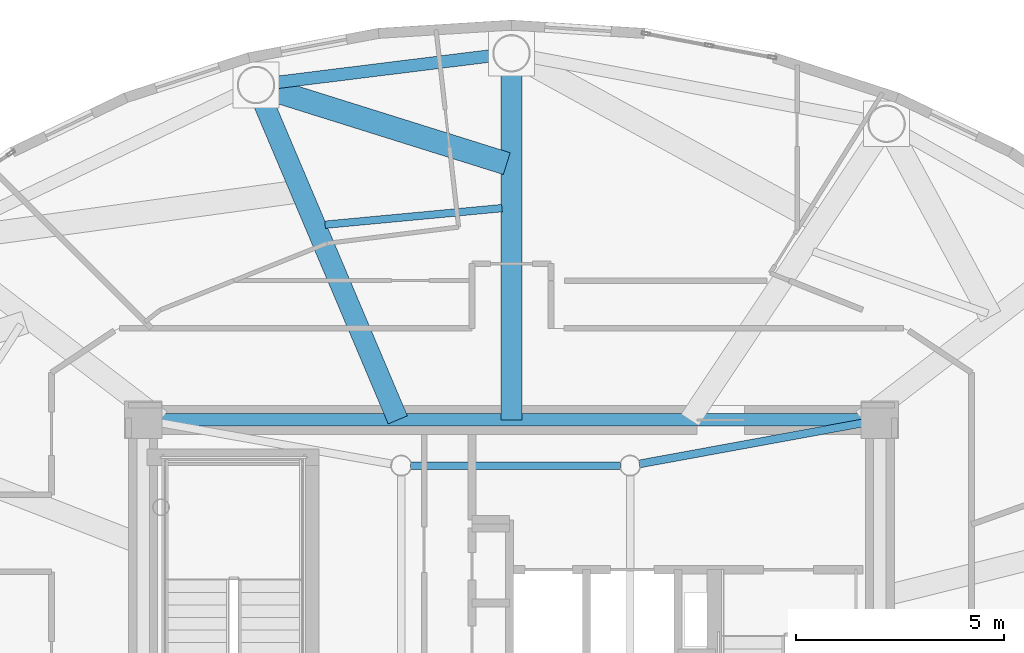
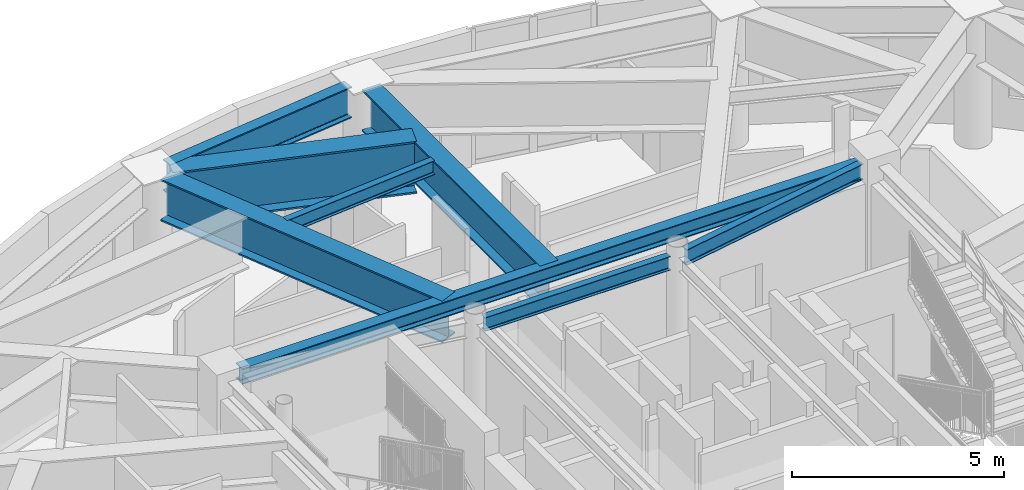
# One storey, part 9 of 23: 8 beams.
"""IFC4 building model written with IfcOpenShell, lengths in metres."""

from ifc_helpers import new_model, si_unit, direction, frame, origin, origin_2d, place, context, subcontext, project, spatial, i_section, extrude, material, material_profile, profile_set, type_object, element, save


model = new_model("IFC4")

# Units and contexts
model_context = context("Model", 3, precision=1e-05, world=origin(), true_north=direction((0.0, 1.0)))
body_context = subcontext(model_context, "Body", "Model", "MODEL_VIEW")
ifc_project = project(units=[si_unit("LENGTHUNIT", "METRE"), si_unit("AREAUNIT", "SQUARE_METRE"), si_unit("VOLUMEUNIT", "CUBIC_METRE"), si_unit("PLANEANGLEUNIT", "RADIAN"), si_unit("MASSUNIT", "GRAM", prefix="KILO")], contexts=[model_context])

# Site, building, storey
site_placement = place(None, origin())
site = spatial("IfcSite", under=ifc_project, at=site_placement, CompositionType="ELEMENT")
building_placement = place(site_placement, origin())
building = spatial("IfcBuilding", under=site, at=building_placement, Name="Linh Dai School and Residence Tower", CompositionType="ELEMENT")
storey_placement = place(building_placement, frame((0.0, 0.0, 359.39990234375)))
storey = spatial("IfcBuildingStorey", under=building, at=storey_placement, Name="L89", CompositionType="ELEMENT", Elevation=359.39990234375)

# Beams
ifc_material = material(Name="Structural Steel S355JR", Category="steel")
ifc_material_profile_1 = material_profile(ifc_material, i_section(OverallWidth=0.300048828125, OverallDepth=0.449951171875, WebThickness=0.013916015625, FlangeThickness=0.02587890625, FilletRadius=0.027099609375, at=origin_2d()), Name="HEB 450")
ifc_profile_set_1 = profile_set([ifc_material_profile_1], Name="Structural Steel S355JR")
beam_type_1 = type_object("IfcBeamType", Name="BM-RG45", PredefinedType="BEAM", material=ifc_profile_set_1)
beam_1_placement = place(storey_placement, frame((44.429931640625, 33.449951171875, 3.675048828125), z_axis=(-1.0, 0.0, 0.0), x_axis=(0.0, -1.0, 0.0)))
element("IfcBeam", 1, at=beam_1_placement, inside=storey, type_object=beam_type_1, Name="L89 Core Perimeter Coupling Girder 3", PredefinedType="BEAM", context=body_context, shape_type="SweptSolid", body=[
    extrude(i_section(OverallWidth=0.300048828125, OverallDepth=0.449951171875, WebThickness=0.013916015625, FlangeThickness=0.02587890625, FilletRadius=0.027099609375, at=origin_2d()), origin(), (0.0, 0.0, 1.0), 16.85986328125),
])
ifc_material_profile_2 = material_profile(ifc_material, i_section(OverallWidth=0.300048828125, OverallDepth=0.89990234375, WebThickness=0.0185546875, FlangeThickness=0.034912109375, FilletRadius=0.030029296875, at=origin_2d()), Name="HEB 900")
ifc_profile_set_2 = profile_set([ifc_material_profile_2], Name="Structural Steel S355JR")
beam_type_2 = type_object("IfcBeamType", Name="BM-RG9", PredefinedType="BEAM", material=ifc_profile_set_2)
beam_2_placement = place(storey_placement, frame((35.583251953125, 42.203369140625, 3.4501953125), z_axis=(-0.992398979221, -0.123062041428, 0.0), x_axis=(0.123062041428, -0.992398979221, 0.0)))
element("IfcBeam", 2, at=beam_2_placement, inside=storey, type_object=beam_type_2, Name="L89 Perimeter Elliptical Ring Beam 05", PredefinedType="BEAM", context=body_context, shape_type="SweptSolid", body=[
    extrude(i_section(OverallWidth=0.300048828125, OverallDepth=0.89990234375, WebThickness=0.0185546875, FlangeThickness=0.034912109375, FilletRadius=0.030029296875, at=origin_2d()), origin(), (0.0, 0.0, 1.0), 5.344482421875),
])
ifc_material_profile_3 = material_profile(ifc_material, i_section(OverallWidth=0.179931640625, OverallDepth=0.39990234375, WebThickness=0.008544921875, FlangeThickness=0.013427734375, FilletRadius=0.02099609375, at=origin_2d()), Name="IPE 400")
ifc_profile_set_3 = profile_set([ifc_material_profile_3], Name="Structural Steel S355JR")
beam_type_3 = type_object("IfcBeamType", Name="BM-SB40", PredefinedType="BEAM", material=ifc_profile_set_3)
beam_3_placement = place(storey_placement, frame((38.6259765625, 32.35009765625, 3.7001953125), z_axis=(-1.0, 0.0, 0.0), x_axis=(0.0, -1.0, 0.0)))
element("IfcBeam", 3, at=beam_3_placement, inside=storey, type_object=beam_type_3, Name="L89 Core Mast Pier Tie Beam 3", PredefinedType="BEAM", context=body_context, shape_type="SweptSolid", body=[
    extrude(i_section(OverallWidth=0.179931640625, OverallDepth=0.39990234375, WebThickness=0.008544921875, FlangeThickness=0.013427734375, FilletRadius=0.02099609375, at=origin_2d()), origin(), (0.0, 0.0, 1.0), 5.052001953125),
])
beam_4_placement = place(storey_placement, frame((35.77099609375, 38.535400390625, 3.7001953125), z_axis=(-0.995632232168, -0.093361974425, 0.0), x_axis=(0.093361974425, -0.995632232168, 0.0)))
element("IfcBeam", 4, at=beam_4_placement, inside=storey, type_object=beam_type_3, Name="L89 Secondary Circumferential Floor Beam 03", PredefinedType="BEAM", context=body_context, shape_type="SweptSolid", body=[
    extrude(i_section(OverallWidth=0.179931640625, OverallDepth=0.39990234375, WebThickness=0.008544921875, FlangeThickness=0.013427734375, FilletRadius=0.02099609375, at=origin_2d()), origin(), (0.0, 0.0, 1.0), 4.267578125),
])
ifc_material_profile_4 = material_profile(ifc_material, i_section(OverallWidth=0.18994140625, OverallDepth=0.449951171875, WebThickness=0.009521484375, FlangeThickness=0.0146484375, FilletRadius=0.02099609375, at=origin_2d()), Name="IPE 450")
ifc_profile_set_4 = profile_set([ifc_material_profile_4], Name="Structural Steel S355JR")
beam_type_4 = type_object("IfcBeamType", Name="BM-SB45", PredefinedType="BEAM", material=ifc_profile_set_4)
beam_5_placement = place(storey_placement, frame((44.436767578125, 33.374267578125, 3.675048828125), z_axis=(-0.983605366802, -0.180334362777, 0.0), x_axis=(0.180334362777, -0.983605366802, 0.0)))
element("IfcBeam", 5, at=beam_5_placement, inside=storey, type_object=beam_type_4, Name="L89 Core Corner-to-Mast Pier Beam 3", PredefinedType="BEAM", context=body_context, shape_type="SweptSolid", body=[
    extrude(i_section(OverallWidth=0.18994140625, OverallDepth=0.449951171875, WebThickness=0.009521484375, FlangeThickness=0.0146484375, FilletRadius=0.02099609375, at=origin_2d()), origin(), (0.0, 0.0, 1.0), 5.455810546875),
])
ifc_material_profile_5 = material_profile(ifc_material, i_section(OverallWidth=0.5, OverallDepth=1.199951171875, WebThickness=0.02392578125, FlangeThickness=0.044921875, at=origin_2d()), Name="PG 1200x500x24x45")
ifc_profile_set_5 = profile_set([ifc_material_profile_5], Name="Structural Steel S355JR")
beam_type_5 = type_object("IfcBeamType", Name="BM-TG12", PredefinedType="BEAM", material=ifc_profile_set_5)
beam_6_placement = place(storey_placement, frame((36.0, 33.449951171875, 3.300048828125), z_axis=(0.0, 1.0, 0.0), x_axis=(-1.0, 0.0, 0.0)))
element("IfcBeam", 6, at=beam_6_placement, inside=storey, type_object=beam_type_5, Name="L89 Radial Setback Transfer Girder 05", PredefinedType="BEAM", context=body_context, shape_type="SweptSolid", body=[
    extrude(i_section(OverallWidth=0.5, OverallDepth=1.199951171875, WebThickness=0.02392578125, FlangeThickness=0.044921875, at=origin_2d()), origin(), (0.0, 0.0, 1.0), 8.385009765625),
])
beam_7_placement = place(storey_placement, frame((33.268798828125, 33.449951171875, 3.300048828125), z_axis=(-0.389954119501, 0.920834287309, 0.0), x_axis=(-0.920834287309, -0.389954119501, 0.0)))
element("IfcBeam", 7, at=beam_7_placement, inside=storey, type_object=beam_type_5, Name="L89 Radial Setback Transfer Girder 06", PredefinedType="BEAM", context=body_context, shape_type="SweptSolid", body=[
    extrude(i_section(OverallWidth=0.5, OverallDepth=1.199951171875, WebThickness=0.02392578125, FlangeThickness=0.044921875, at=origin_2d()), origin(), (0.0, 0.0, 1.0), 8.3154296875),
])
ifc_material_profile_6 = material_profile(ifc_material, i_section(OverallWidth=0.550048828125, OverallDepth=1.5, WebThickness=0.028076171875, FlangeThickness=0.050048828125, at=origin_2d()), Name="PG 1500x550x28x50")
ifc_profile_set_6 = profile_set([ifc_material_profile_6], Name="Structural Steel S355JR")
beam_type_6 = type_object("IfcBeamType", Name="BM-TG15", PredefinedType="BEAM", material=ifc_profile_set_6)
beam_8_placement = place(storey_placement, frame((35.885498046875, 39.60498046875, 3.150146484375), z_axis=(-0.954179431628, 0.29923504517, 0.0), x_axis=(-0.29923504517, -0.954179431628, 0.0)))
element("IfcBeam", 8, at=beam_8_placement, inside=storey, type_object=beam_type_6, Name="L89 Setback Diaphragm Transfer Girder 05", PredefinedType="BEAM", context=body_context, shape_type="SweptSolid", body=[
    extrude(i_section(OverallWidth=0.550048828125, OverallDepth=1.5, WebThickness=0.028076171875, FlangeThickness=0.050048828125, at=origin_2d()), origin(), (0.0, 0.0, 1.0), 5.892333984375),
])

save(model, "model.ifc")
